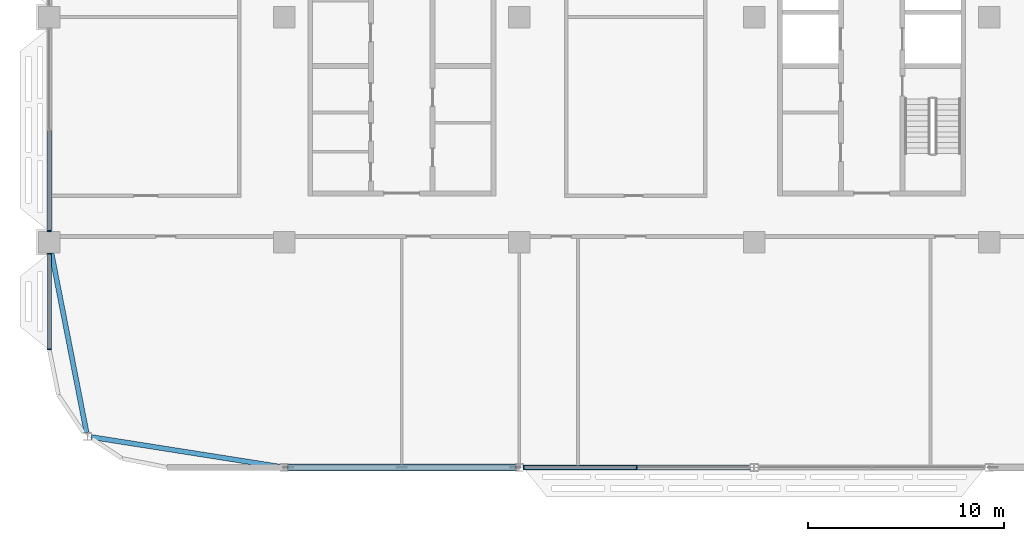
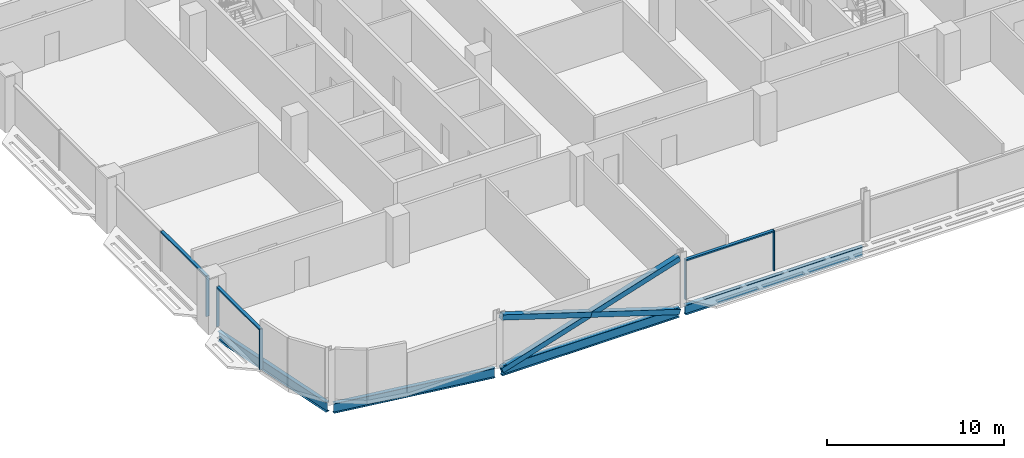
# One storey, part 4 of 30: 11 members, 4 beams, 3 elements without a shape of their own.
"""IFC4 building model written with IfcOpenShell, lengths in metres."""

from ifc_helpers import new_model, si_unit, direction, frame, origin, origin_2d, place, context, subcontext, project, spatial, rectangle, hollow_rectangle, i_section, extrude, material, material_profile, profile_set, type_object, element, aggregate, save


model = new_model("IFC4")

# Units and contexts
model_context = context("Model", 3, precision=1e-05, world=origin(), true_north=direction((0.0, 1.0)))
body_context = subcontext(model_context, "Body", "Model", "MODEL_VIEW")
ifc_project = project(units=[si_unit("LENGTHUNIT", "METRE"), si_unit("AREAUNIT", "SQUARE_METRE"), si_unit("VOLUMEUNIT", "CUBIC_METRE"), si_unit("PLANEANGLEUNIT", "RADIAN"), si_unit("MASSUNIT", "GRAM", prefix="KILO")], contexts=[model_context])

# Site, building, storey
site_placement = place(None, origin())
site = spatial("IfcSite", under=ifc_project, at=site_placement, CompositionType="ELEMENT")
building_placement = place(site_placement, origin())
building = spatial("IfcBuilding", under=site, at=building_placement, Name="Mahtab Terrace Research Tower", CompositionType="ELEMENT")
storey_placement = place(building_placement, frame((0.0, 0.0, 216.699951171875)))
storey = spatial("IfcBuildingStorey", under=building, at=storey_placement, Name="L52", CompositionType="ELEMENT", Elevation=216.699951171875)

# Members
ifc_material_1 = material(Name="Steel ASTM A500 Gr C", Category="steel")
ifc_material_profile_1 = material_profile(ifc_material_1, hollow_rectangle(XDim=0.355712890625, YDim=0.355712890625, WallThickness=0.015869140625, at=origin_2d()), Name="HSS14X14X5/8")
ifc_profile_set_1 = profile_set([ifc_material_profile_1], Name="Steel ASTM A500 Gr C")
member_type_1 = type_object("IfcMemberType", Name="HSS 14x14x5/8 brace XB141458", PredefinedType="BRACE", material=ifc_profile_set_1)
member_1_placement = place(storey_placement, frame((-29.79931640625, -23.0, -0.615478515625), z_axis=(0.953343380425, 0.0, 0.301888057067), x_axis=(0.0, 1.0, 0.0)))
element("IfcMember", 1, at=member_1_placement, inside=storey, type_object=member_type_1, Name="Exoskeleton brace L52 14 a", PredefinedType="BRACE", context=body_context, shape_type="SweptSolid", body=[
    extrude(hollow_rectangle(XDim=0.355712890625, YDim=0.355712890625, WallThickness=0.015869140625, at=origin_2d()), origin(), (0.0, 0.0, 1.0), 12.166259765625),
])
for number, where, z_axis, x_axis, name in (
    (2, (-18.20068359375, -23.0, -0.615478515625), (-0.953343380425, 0.0, 0.301888057067), (0.0, -1.0, 0.0), "Exoskeleton brace L52 14 b1"),
    (3, (-24.0, -23.0, 1.220947265625), (-0.953343380425, 0.0, 0.301888057067), (0.0, -1.0, 0.0), "Exoskeleton brace L52 14 b2"),
):
    element("IfcMember", number, at=place(storey_placement, frame(where, z_axis=z_axis, x_axis=x_axis)), inside=storey, type_object=member_type_1, Name=name, PredefinedType="BRACE", context=body_context, shape_type="SweptSolid", body=[
        extrude(hollow_rectangle(XDim=0.355712890625, YDim=0.355712890625, WallThickness=0.015869140625, at=origin_2d()), origin(), (0.0, 0.0, 1.0), 6.083251953125),
    ])

# Curtain wall, member
ifc_material_2 = material(Name="Laboratory ribbon curtain wall")
curtain_wall_type = type_object("IfcCurtainWallType", Name="Laboratory ribbon curtain wall", PredefinedType="NOTDEFINED", material=ifc_material_2)
curtain_wall_1_placement = place(storey_placement, origin())
curtain_wall_1 = element("IfcCurtainWall", 4, at=curtain_wall_1_placement, inside=storey, type_object=curtain_wall_type, Name="EN.L52.8.17", PredefinedType="NOTDEFINED")
ifc_material_3 = material(Name="Natural anodised aluminium", Category="aluminium")
ifc_material_profile_2 = material_profile(ifc_material_3, rectangle(XDim=0.199951171875, YDim=0.06494140625, at=origin_2d()), Name="MULLION 65x200")
ifc_profile_set_2 = profile_set([ifc_material_profile_2], Name="Natural anodised aluminium")
member_type_2 = type_object("IfcMemberType", Name="Laboratory ribbon curtain wall mullion", PredefinedType="MULLION", material=ifc_profile_set_2)
member_2_placement = place(storey_placement, frame((-42.0, -10.91748046875, 0.0), z_axis=(0.0, 0.0, 1.0), x_axis=(1.0, 0.0, 0.0)))
member_2 = element("IfcMember", 5, at=member_2_placement, type_object=member_type_2, Name="CWL-6 mullion 3", PredefinedType="MULLION", context=body_context, shape_type="SweptSolid", body=[
    extrude(rectangle(XDim=0.199951171875, YDim=0.06494140625, at=origin_2d()), origin(), (0.0, 0.0, 1.0), 2.78173828125),
])

# Curtain wall, members
curtain_wall_2_placement = place(storey_placement, origin())
curtain_wall_2 = element("IfcCurtainWall", 6, at=curtain_wall_2_placement, inside=storey, type_object=curtain_wall_type, Name="EN.L52.8.18", PredefinedType="NOTDEFINED")
member_3_placement = place(storey_placement, frame((-42.0, -12.08251953125, 0.0), z_axis=(0.0, 0.0, 1.0), x_axis=(1.0, 0.0, 0.0)))
member_3 = element("IfcMember", 7, at=member_3_placement, type_object=member_type_2, Name="CWL-6 mullion 1", PredefinedType="MULLION", context=body_context, shape_type="SweptSolid", body=[
    extrude(rectangle(XDim=0.199951171875, YDim=0.06494140625, at=origin_2d()), origin(), (0.0, 0.0, 1.0), 2.78173828125),
])
member_4_placement = place(storey_placement, frame((-42.0, -16.967529296875, 0.0), z_axis=(0.0, 0.0, 1.0), x_axis=(1.0, 0.0, 0.0)))
member_4 = element("IfcMember", 8, at=member_4_placement, type_object=member_type_2, Name="CWL-6 mullion 2", PredefinedType="MULLION", context=body_context, shape_type="SweptSolid", body=[
    extrude(rectangle(XDim=0.199951171875, YDim=0.06494140625, at=origin_2d()), origin(), (0.0, 0.0, 1.0), 2.78173828125),
])

curtain_wall_3_placement = place(storey_placement, origin())
curtain_wall_3 = element("IfcCurtainWall", 9, at=curtain_wall_3_placement, inside=storey, type_object=curtain_wall_type, Name="EN.L52.13.25", PredefinedType="NOTDEFINED")
member_5_placement = place(storey_placement, frame((-17.767578125, -23.0, 0.0), z_axis=(0.0, 0.0, 1.0), x_axis=(0.0, 1.0, 0.0)))
member_5 = element("IfcMember", 10, at=member_5_placement, type_object=member_type_2, Name="CWL-6 mullion 1", PredefinedType="MULLION", context=body_context, shape_type="SweptSolid", body=[
    extrude(rectangle(XDim=0.199951171875, YDim=0.06494140625, at=origin_2d()), origin(), (0.0, 0.0, 1.0), 2.78173828125),
])
member_6_placement = place(storey_placement, frame((-12.0, -23.0, 0.0), z_axis=(0.0, 0.0, 1.0), x_axis=(0.0, 1.0, 0.0)))
member_6 = element("IfcMember", 11, at=member_6_placement, type_object=member_type_2, Name="CWL-6 mullion 2", PredefinedType="MULLION", context=body_context, shape_type="SweptSolid", body=[
    extrude(rectangle(XDim=0.199951171875, YDim=0.06494140625, at=origin_2d()), origin(), (0.0, 0.0, 1.0), 2.78173828125),
])

# Member
ifc_material_profile_3 = material_profile(ifc_material_3, rectangle(XDim=0.199951171875, YDim=0.10009765625, at=origin_2d()), Name="TRANSOM 100x200")
ifc_profile_set_3 = profile_set([ifc_material_profile_3], Name="Natural anodised aluminium")
member_type_3 = type_object("IfcMemberType", Name="Laboratory ribbon curtain wall transom", PredefinedType="USERDEFINED", material=ifc_profile_set_3)
member_7_placement = place(storey_placement, frame((-42.0, -5.782470703125, 2.73193359375), z_axis=(0.0, -1.0, 0.0), x_axis=(1.0, 0.0, 0.0)))
member_7 = element("IfcMember", 12, at=member_7_placement, type_object=member_type_3, Name="CWL-6 transom 2", ObjectType="TRANSOM", PredefinedType="USERDEFINED", context=body_context, shape_type="SweptSolid", body=[
    extrude(rectangle(XDim=0.199951171875, YDim=0.10009765625, at=origin_2d()), origin(), (0.0, 0.0, 1.0), 5.1025390625),
])

aggregate(curtain_wall_1, [member_2, member_7])

member_8_placement = place(storey_placement, frame((-42.0, -12.114990234375, 2.73193359375), z_axis=(0.0, -1.0, 0.0), x_axis=(1.0, 0.0, 0.0)))
member_8 = element("IfcMember", 13, at=member_8_placement, type_object=member_type_3, Name="CWL-6 transom 1", ObjectType="TRANSOM", PredefinedType="USERDEFINED", context=body_context, shape_type="SweptSolid", body=[
    extrude(rectangle(XDim=0.199951171875, YDim=0.10009765625, at=origin_2d()), origin(), (0.0, 0.0, 1.0), 4.820068359375),
])

aggregate(curtain_wall_2, [member_3, member_4, member_8])

member_9_placement = place(storey_placement, frame((-17.735107421875, -23.0, 2.73193359375), z_axis=(1.0, 0.0, 0.0), x_axis=(0.0, 1.0, 0.0)))
member_9 = element("IfcMember", 14, at=member_9_placement, type_object=member_type_3, Name="CWL-6 transom 1", ObjectType="TRANSOM", PredefinedType="USERDEFINED", context=body_context, shape_type="SweptSolid", body=[
    extrude(rectangle(XDim=0.199951171875, YDim=0.10009765625, at=origin_2d()), origin(), (0.0, 0.0, 1.0), 5.70263671875),
])

aggregate(curtain_wall_3, [member_5, member_6, member_9])

# Beams
ifc_material_4 = material(Name="Steel ASTM A992 Gr 50", Category="steel")
ifc_material_profile_4 = material_profile(ifc_material_4, i_section(OverallWidth=0.25390625, OverallDepth=0.67822265625, WebThickness=0.01171875, FlangeThickness=0.016357421875, at=origin_2d()), Name="W27X84")
ifc_profile_set_4 = profile_set([ifc_material_profile_4], Name="Steel ASTM A992 Gr 50")
beam_type = type_object("IfcBeamType", Name="W27x84 beam BS2784", PredefinedType="BEAM", material=ifc_profile_set_4)
beam_1_placement = place(storey_placement, frame((-41.892578125, -12.050048828125, -0.678955078125), z_axis=(0.191811291145, -0.981431825747, 0.0), x_axis=(0.981431825747, 0.191811291145, 0.0)))
element("IfcBeam", 15, at=beam_1_placement, inside=storey, type_object=beam_type, Name="Spandrel beam L52 12", PredefinedType="BEAM", context=body_context, shape_type="SweptSolid", body=[
    extrude(i_section(OverallWidth=0.25390625, OverallDepth=0.67822265625, WebThickness=0.01171875, FlangeThickness=0.016357421875, at=origin_2d()), origin(), (0.0, 0.0, 1.0), 9.33984375),
])
beam_2_placement = place(storey_placement, frame((-39.861328125, -21.447509765625, -0.678955078125), z_axis=(0.987831689273, -0.155526697604, 0.0), x_axis=(0.155526697604, 0.987831689273, 0.0)))
element("IfcBeam", 16, at=beam_2_placement, inside=storey, type_object=beam_type, Name="Spandrel beam L52 13", PredefinedType="BEAM", context=body_context, shape_type="SweptSolid", body=[
    extrude(i_section(OverallWidth=0.25390625, OverallDepth=0.67822265625, WebThickness=0.01171875, FlangeThickness=0.016357421875, at=origin_2d()), origin(), (0.0, 0.0, 1.0), 9.779541015625),
])
for number, where, z_axis, x_axis, name in (
    (17, (-29.79931640625, -23.0, -0.678955078125), (1.0, 0.0, 0.0), (0.0, 1.0, 0.0), "Spandrel beam L52 14"),
    (18, (-17.79931640625, -23.0, -0.678955078125), (1.0, 0.0, 0.0), (0.0, 1.0, 0.0), "Spandrel beam L52 15"),
):
    element("IfcBeam", number, at=place(storey_placement, frame(where, z_axis=z_axis, x_axis=x_axis)), inside=storey, type_object=beam_type, Name=name, PredefinedType="BEAM", context=body_context, shape_type="SweptSolid", body=[
        extrude(i_section(OverallWidth=0.25390625, OverallDepth=0.67822265625, WebThickness=0.01171875, FlangeThickness=0.016357421875, at=origin_2d()), origin(), (0.0, 0.0, 1.0), 11.5986328125),
    ])

save(model, "model.ifc")
